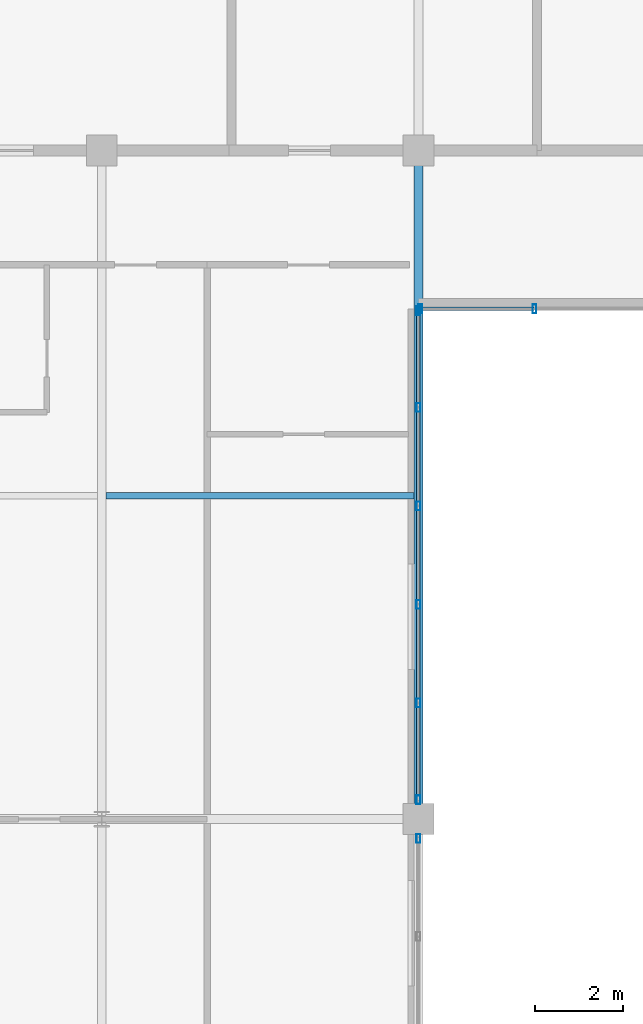
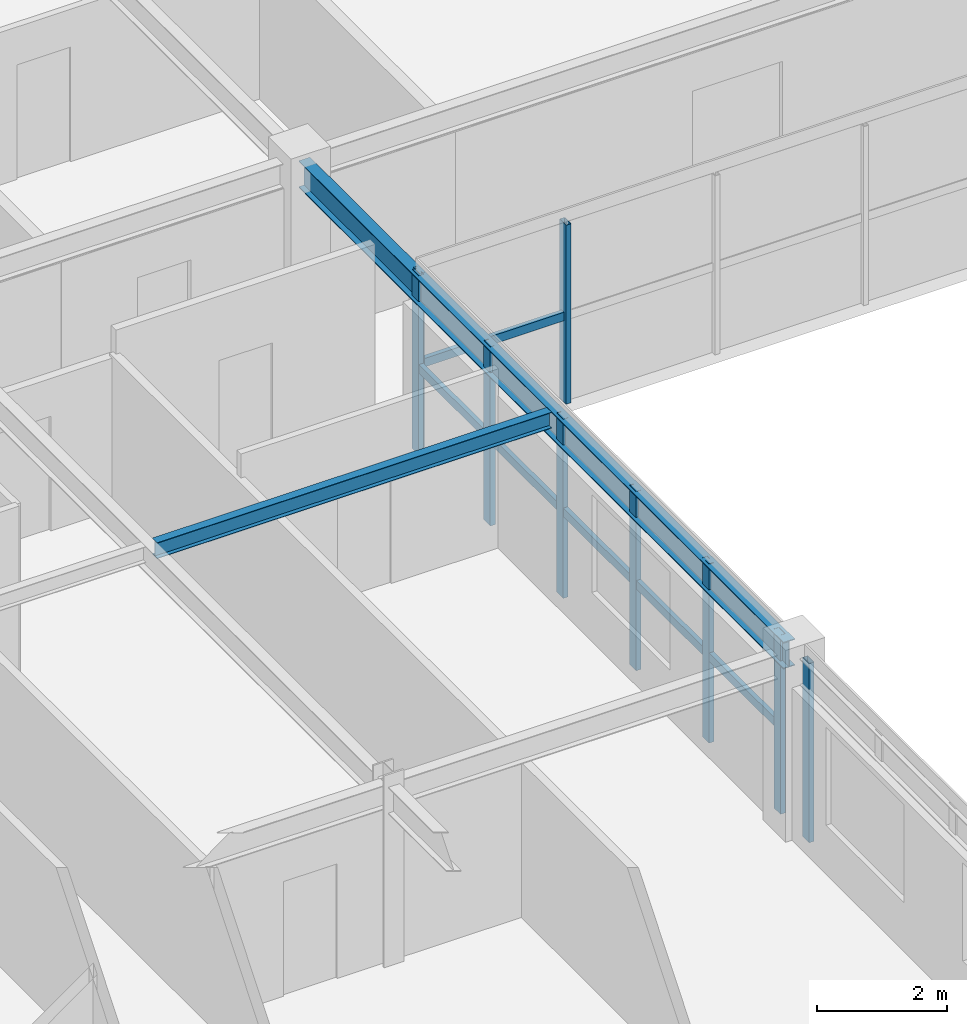
# One storey, part 8 of 34: 15 members, 2 beams, 3 elements without a shape of their own.
"""IFC4 building model written with IfcOpenShell, lengths in metres."""

from ifc_helpers import new_model, si_unit, direction, frame, origin, origin_2d, place, context, subcontext, project, spatial, hollow_rectangle, i_section, extrude, source, transform, mapped, material, material_profile, profile_set, type_object, element, aggregate, save


model = new_model("IFC4")

# Units and contexts
model_context = context("Model", 3, precision=1e-05, world=origin(), true_north=direction((0.0, 1.0)))
body_context = subcontext(model_context, "Body", "Model", "MODEL_VIEW")
ifc_project = project(units=[si_unit("LENGTHUNIT", "METRE"), si_unit("AREAUNIT", "SQUARE_METRE"), si_unit("VOLUMEUNIT", "CUBIC_METRE"), si_unit("PLANEANGLEUNIT", "RADIAN"), si_unit("MASSUNIT", "GRAM", prefix="KILO")], contexts=[model_context])

# Site, building, storey
site_placement = place(None, origin())
site = spatial("IfcSite", under=ifc_project, at=site_placement, CompositionType="ELEMENT")
building_placement = place(site_placement, origin())
building = spatial("IfcBuilding", under=site, at=building_placement, Name="Trelvane Seafront Commons", CompositionType="ELEMENT")
storey_placement = place(building_placement, frame((0.0, 0.0, 197.699951171875)))
storey = spatial("IfcBuildingStorey", under=building, at=storey_placement, Name="L51", CompositionType="ELEMENT", Elevation=197.699951171875)

# Beams
ifc_material_1 = material(Name="Steel SM355 (S355)", Category="steel")
ifc_material_profile_1 = material_profile(ifc_material_1, i_section(OverallWidth=0.199951171875, OverallDepth=0.5, WebThickness=0.010009765625, FlangeThickness=0.01611328125, at=origin_2d()), Name="H-500x200x10x16")
ifc_profile_set_1 = profile_set([ifc_material_profile_1], Name="Steel SM355 (S355)")
beam_type_1 = type_object("IfcBeamType", Name="STR-BM-H500", PredefinedType="BEAM", material=ifc_profile_set_1)
shared_shape_1 = source(origin(), body_context, "Body", "SweptSolid", [
    extrude(i_section(OverallWidth=0.199951171875, OverallDepth=0.5, WebThickness=0.010009765625, FlangeThickness=0.01611328125, at=origin_2d()), origin(), (0.0, 0.0, 1.0), 14.89990234375),
])
beam_1_placement = place(storey_placement, frame((30.60009765625, 18.35009765625, 3.110107421875), z_axis=(0.0, 1.0, 0.0), x_axis=(-1.0, 0.0, 0.0)))
element("IfcBeam", 1, at=beam_1_placement, inside=storey, type_object=beam_type_1, Name="L51 Primary Girder G-39", PredefinedType="BEAM", context=body_context, shape_type="MappedRepresentation", body=[
    mapped(shared_shape_1, transform((0.0, 0.0, 0.0), x_axis=(1.0, 0.0, 0.0), y_axis=(0.0, 1.0, 0.0), z_axis=(0.0, 0.0, 1.0), scale=1.0)),
])
ifc_material_profile_2 = material_profile(ifc_material_1, i_section(OverallWidth=0.14990234375, OverallDepth=0.300048828125, WebThickness=0.006591796875, FlangeThickness=0.009033203125, at=origin_2d()), Name="H-300x150x6.5x9")
ifc_profile_set_2 = profile_set([ifc_material_profile_2], Name="Steel SM355 (S355)")
beam_type_2 = type_object("IfcBeamType", Name="STR-JST-H300", PredefinedType="JOIST", material=ifc_profile_set_2)
shared_shape_2 = source(origin(), body_context, "Body", "SweptSolid", [
    extrude(i_section(OverallWidth=0.14990234375, OverallDepth=0.300048828125, WebThickness=0.006591796875, FlangeThickness=0.009033203125, at=origin_2d()), origin(), (0.0, 0.0, 1.0), 7.0),
])
beam_2_placement = place(storey_placement, frame((23.5, 25.550048828125, 3.2099609375), z_axis=(1.0, 0.0, 0.0), x_axis=(0.0, 1.0, 0.0)))
element("IfcBeam", 2, at=beam_2_placement, inside=storey, type_object=beam_type_2, Name="L51 Secondary Floor Joist B-62", PredefinedType="JOIST", context=body_context, shape_type="MappedRepresentation", body=[
    mapped(shared_shape_2, transform((0.0, 0.0, 0.0), x_axis=(1.0, 0.0, 0.0), y_axis=(0.0, 1.0, 0.0), z_axis=(0.0, 0.0, 1.0), scale=1.0)),
])

# Curtain wall, members
ifc_material_2 = material(Name="Anodised pale-silver aluminium", Category="aluminium")
curtain_wall_type = type_object("IfcCurtainWallType", Name="ARCH-CW3-PORTAL", PredefinedType="NOTDEFINED", material=ifc_material_2)
curtain_wall_1_placement = place(storey_placement, origin())
curtain_wall_1 = element("IfcCurtainWall", 3, at=curtain_wall_1_placement, inside=storey, type_object=curtain_wall_type, Name="CW-L51-VP-0086", PredefinedType="NOTDEFINED")
ifc_material_profile_3 = material_profile(ifc_material_2, hollow_rectangle(XDim=0.080078125, YDim=0.159912109375, WallThickness=0.00439453125, at=origin_2d()), Name="TRAN-80x160x4.5")
ifc_profile_set_3 = profile_set([ifc_material_profile_3], Name="Anodised pale-silver aluminium")
member_type_1 = type_object("IfcMemberType", Name="ARCH-CW-TRAN-160", PredefinedType="USERDEFINED", material=ifc_profile_set_3)
shared_shape_3 = source(origin(), body_context, "Body", "SweptSolid", [
    extrude(hollow_rectangle(XDim=0.080078125, YDim=0.159912109375, WallThickness=0.00439453125, at=origin_2d()), origin(), (0.0, 0.0, 1.0), 2.2158203125),
])
member_1_placement = place(storey_placement, frame((30.60009765625, 18.612060546875, 1.613037109375), z_axis=(0.0, 1.0, 0.0), x_axis=(-1.0, 0.0, 0.0)))
member_1 = element("IfcMember", 4, at=member_1_placement, type_object=member_type_1, Name="CW-L51-VP-0086-T00", ObjectType="TRANSOM", PredefinedType="USERDEFINED", context=body_context, shape_type="MappedRepresentation", body=[
    mapped(shared_shape_3, transform((0.0, 0.0, 0.0), x_axis=(1.0, 0.0, 0.0), y_axis=(0.0, 1.0, 0.0), z_axis=(0.0, 0.0, 1.0), scale=1.0)),
])
shared_shape_4 = source(origin(), body_context, "Body", "SweptSolid", [
    extrude(hollow_rectangle(XDim=0.080078125, YDim=0.159912109375, WallThickness=0.00439453125, at=origin_2d()), origin(), (0.0, 0.0, 1.0), 2.216064453125),
])
member_2_placement = place(storey_placement, frame((30.60009765625, 20.85205078125, 1.613037109375), z_axis=(0.0, 1.0, 0.0), x_axis=(-1.0, 0.0, 0.0)))
member_2 = element("IfcMember", 5, at=member_2_placement, type_object=member_type_1, Name="CW-L51-VP-0086-T01", ObjectType="TRANSOM", PredefinedType="USERDEFINED", context=body_context, shape_type="MappedRepresentation", body=[
    mapped(shared_shape_4, transform((0.0, 0.0, 0.0), x_axis=(1.0, 0.0, 0.0), y_axis=(0.0, 1.0, 0.0), z_axis=(0.0, 0.0, 1.0), scale=1.0)),
])
member_3_placement = place(storey_placement, frame((30.60009765625, 23.092041015625, 1.613037109375), z_axis=(0.0, 1.0, 0.0), x_axis=(-1.0, 0.0, 0.0)))
member_3 = element("IfcMember", 6, at=member_3_placement, type_object=member_type_1, Name="CW-L51-VP-0086-T02", ObjectType="TRANSOM", PredefinedType="USERDEFINED", context=body_context, shape_type="MappedRepresentation", body=[
    mapped(shared_shape_4, transform((0.0, 0.0, 0.0), x_axis=(1.0, 0.0, 0.0), y_axis=(0.0, 1.0, 0.0), z_axis=(0.0, 0.0, 1.0), scale=1.0)),
])
member_4_placement = place(storey_placement, frame((30.60009765625, 25.33203125, 1.613037109375), z_axis=(0.0, 1.0, 0.0), x_axis=(-1.0, 0.0, 0.0)))
member_4 = element("IfcMember", 7, at=member_4_placement, type_object=member_type_1, Name="CW-L51-VP-0086-T03", ObjectType="TRANSOM", PredefinedType="USERDEFINED", context=body_context, shape_type="MappedRepresentation", body=[
    mapped(shared_shape_4, transform((0.0, 0.0, 0.0), x_axis=(1.0, 0.0, 0.0), y_axis=(0.0, 1.0, 0.0), z_axis=(0.0, 0.0, 1.0), scale=1.0)),
])
member_5_placement = place(storey_placement, frame((30.60009765625, 27.572021484375, 1.613037109375), z_axis=(0.0, 1.0, 0.0), x_axis=(-1.0, 0.0, 0.0)))
member_5 = element("IfcMember", 8, at=member_5_placement, type_object=member_type_1, Name="CW-L51-VP-0086-T04", ObjectType="TRANSOM", PredefinedType="USERDEFINED", context=body_context, shape_type="MappedRepresentation", body=[
    mapped(shared_shape_4, transform((0.0, 0.0, 0.0), x_axis=(1.0, 0.0, 0.0), y_axis=(0.0, 1.0, 0.0), z_axis=(0.0, 0.0, 1.0), scale=1.0)),
])

# Curtain wall, member
curtain_wall_2_placement = place(storey_placement, origin())
curtain_wall_2 = element("IfcCurtainWall", 9, at=curtain_wall_2_placement, inside=storey, type_object=curtain_wall_type, Name="CW-L51-VP-0087", PredefinedType="NOTDEFINED")
shared_shape_5 = source(origin(), body_context, "Body", "SweptSolid", [
    extrude(hollow_rectangle(XDim=0.080078125, YDim=0.159912109375, WallThickness=0.00439453125, at=origin_2d()), origin(), (0.0, 0.0, 1.0), 2.615966796875),
])
member_6_placement = place(storey_placement, frame((30.612060546875, 29.800048828125, 1.613037109375), z_axis=(1.0, 0.0, 0.0), x_axis=(0.0, 1.0, 0.0)))
member_6 = element("IfcMember", 10, at=member_6_placement, type_object=member_type_1, Name="CW-L51-VP-0087-T00", ObjectType="TRANSOM", PredefinedType="USERDEFINED", context=body_context, shape_type="MappedRepresentation", body=[
    mapped(shared_shape_5, transform((0.0, 0.0, 0.0), x_axis=(1.0, 0.0, 0.0), y_axis=(0.0, 1.0, 0.0), z_axis=(0.0, 0.0, 1.0), scale=1.0)),
])

curtain_wall_3_placement = place(storey_placement, origin())
curtain_wall_3 = element("IfcCurtainWall", 11, at=curtain_wall_3_placement, inside=storey, type_object=curtain_wall_type, Name="CW-L51-VP-0085", PredefinedType="NOTDEFINED")
ifc_material_profile_4 = material_profile(ifc_material_2, hollow_rectangle(XDim=0.090087890625, YDim=0.199951171875, WallThickness=0.0048828125, at=origin_2d()), Name="MULL-90x200x5")
ifc_profile_set_4 = profile_set([ifc_material_profile_4], Name="Anodised pale-silver aluminium")
member_type_2 = type_object("IfcMemberType", Name="ARCH-CW-MULL-200", PredefinedType="MULLION", material=ifc_profile_set_4)
shared_shape_6 = source(origin(), body_context, "Body", "SweptSolid", [
    extrude(hollow_rectangle(XDim=0.090087890625, YDim=0.199951171875, WallThickness=0.0048828125, at=origin_2d()), origin(), (0.0, 0.0, 1.0), 3.360107421875),
])
member_7_placement = place(storey_placement, frame((30.60009765625, 17.760009765625, 0.0), z_axis=(0.0, 0.0, 1.0), x_axis=(1.0, 0.0, 0.0)))
member_7 = element("IfcMember", 12, at=member_7_placement, type_object=member_type_2, Name="CW-L51-VP-0085-M06", PredefinedType="MULLION", context=body_context, shape_type="MappedRepresentation", body=[
    mapped(shared_shape_6, transform((0.0, 0.0, 0.0), x_axis=(1.0, 0.0, 0.0), y_axis=(0.0, 1.0, 0.0), z_axis=(0.0, 0.0, 1.0), scale=1.0)),
])
aggregate(curtain_wall_3, [member_7])

# Member
member_8_placement = place(storey_placement, frame((30.60009765625, 18.639892578125, 0.0), z_axis=(0.0, 0.0, 1.0), x_axis=(1.0, 0.0, 0.0)))
member_8 = element("IfcMember", 13, at=member_8_placement, type_object=member_type_2, Name="CW-L51-VP-0086-M00", PredefinedType="MULLION", context=body_context, shape_type="MappedRepresentation", body=[
    mapped(shared_shape_6, transform((0.0, 0.0, 0.0), x_axis=(1.0, 0.0, 0.0), y_axis=(0.0, 1.0, 0.0), z_axis=(0.0, 0.0, 1.0), scale=1.0)),
])

member_9_placement = place(storey_placement, frame((30.60009765625, 20.840087890625, 0.0), z_axis=(0.0, 0.0, 1.0), x_axis=(1.0, 0.0, 0.0)))
member_9 = element("IfcMember", 14, at=member_9_placement, type_object=member_type_2, Name="CW-L51-VP-0086-M01", PredefinedType="MULLION", context=body_context, shape_type="MappedRepresentation", body=[
    mapped(shared_shape_6, transform((0.0, 0.0, 0.0), x_axis=(1.0, 0.0, 0.0), y_axis=(0.0, 1.0, 0.0), z_axis=(0.0, 0.0, 1.0), scale=1.0)),
])

member_10_placement = place(storey_placement, frame((30.60009765625, 23.080078125, 0.0), z_axis=(0.0, 0.0, 1.0), x_axis=(1.0, 0.0, 0.0)))
member_10 = element("IfcMember", 15, at=member_10_placement, type_object=member_type_2, Name="CW-L51-VP-0086-M02", PredefinedType="MULLION", context=body_context, shape_type="MappedRepresentation", body=[
    mapped(shared_shape_6, transform((0.0, 0.0, 0.0), x_axis=(1.0, 0.0, 0.0), y_axis=(0.0, 1.0, 0.0), z_axis=(0.0, 0.0, 1.0), scale=1.0)),
])

member_11_placement = place(storey_placement, frame((30.60009765625, 25.320068359375, 0.0), z_axis=(0.0, 0.0, 1.0), x_axis=(1.0, 0.0, 0.0)))
member_11 = element("IfcMember", 16, at=member_11_placement, type_object=member_type_2, Name="CW-L51-VP-0086-M03", PredefinedType="MULLION", context=body_context, shape_type="MappedRepresentation", body=[
    mapped(shared_shape_6, transform((0.0, 0.0, 0.0), x_axis=(1.0, 0.0, 0.0), y_axis=(0.0, 1.0, 0.0), z_axis=(0.0, 0.0, 1.0), scale=1.0)),
])

member_12_placement = place(storey_placement, frame((30.60009765625, 27.56005859375, 0.0), z_axis=(0.0, 0.0, 1.0), x_axis=(1.0, 0.0, 0.0)))
member_12 = element("IfcMember", 17, at=member_12_placement, type_object=member_type_2, Name="CW-L51-VP-0086-M04", PredefinedType="MULLION", context=body_context, shape_type="MappedRepresentation", body=[
    mapped(shared_shape_6, transform((0.0, 0.0, 0.0), x_axis=(1.0, 0.0, 0.0), y_axis=(0.0, 1.0, 0.0), z_axis=(0.0, 0.0, 1.0), scale=1.0)),
])

member_13_placement = place(storey_placement, frame((30.60009765625, 29.760009765625, 0.0), z_axis=(0.0, 0.0, 1.0), x_axis=(1.0, 0.0, 0.0)))
member_13 = element("IfcMember", 18, at=member_13_placement, type_object=member_type_2, Name="CW-L51-VP-0086-M05", PredefinedType="MULLION", context=body_context, shape_type="MappedRepresentation", body=[
    mapped(shared_shape_6, transform((0.0, 0.0, 0.0), x_axis=(1.0, 0.0, 0.0), y_axis=(0.0, 1.0, 0.0), z_axis=(0.0, 0.0, 1.0), scale=1.0)),
])

aggregate(curtain_wall_1, [member_8, member_9, member_10, member_11, member_12, member_13, member_1, member_2, member_3, member_4, member_5])

member_14_placement = place(storey_placement, frame((30.639892578125, 29.800048828125, 0.0), z_axis=(0.0, 0.0, 1.0), x_axis=(1.0, 0.0, 0.0)))
member_14 = element("IfcMember", 19, at=member_14_placement, type_object=member_type_2, Name="CW-L51-VP-0087-M00", PredefinedType="MULLION", context=body_context, shape_type="MappedRepresentation", body=[
    mapped(shared_shape_6, transform((0.0, 0.0, 0.0), x_axis=(1.0, 0.0, 0.0), y_axis=(0.0, 1.0, 0.0), z_axis=(0.0, 0.0, 1.0), scale=1.0)),
])

member_15_placement = place(storey_placement, frame((33.239990234375, 29.800048828125, 0.0), z_axis=(0.0, 0.0, 1.0), x_axis=(1.0, 0.0, 0.0)))
member_15 = element("IfcMember", 20, at=member_15_placement, type_object=member_type_2, Name="CW-L51-VP-0087-M01", PredefinedType="MULLION", context=body_context, shape_type="MappedRepresentation", body=[
    mapped(shared_shape_6, transform((0.0, 0.0, 0.0), x_axis=(1.0, 0.0, 0.0), y_axis=(0.0, 1.0, 0.0), z_axis=(0.0, 0.0, 1.0), scale=1.0)),
])

aggregate(curtain_wall_2, [member_14, member_15, member_6])

save(model, "model.ifc")
